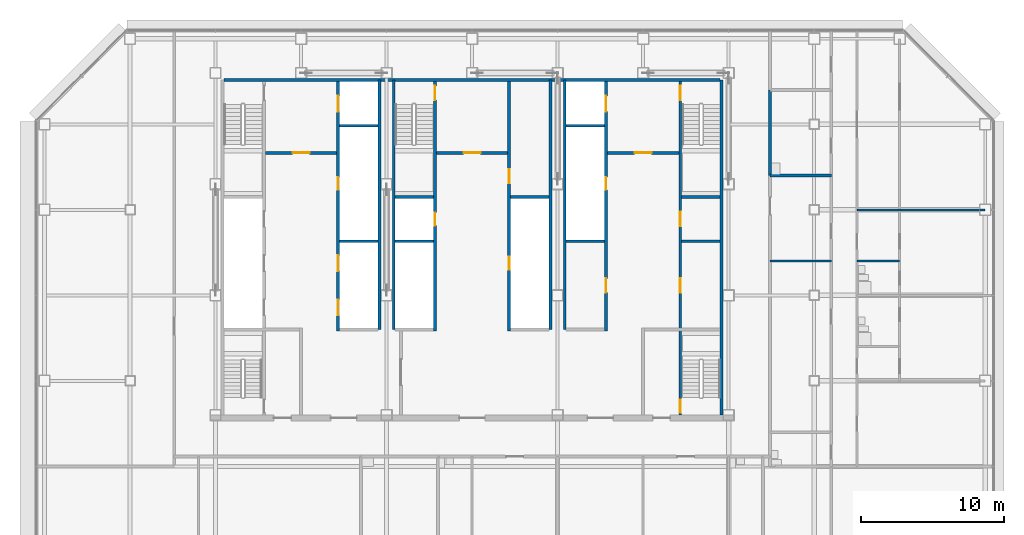
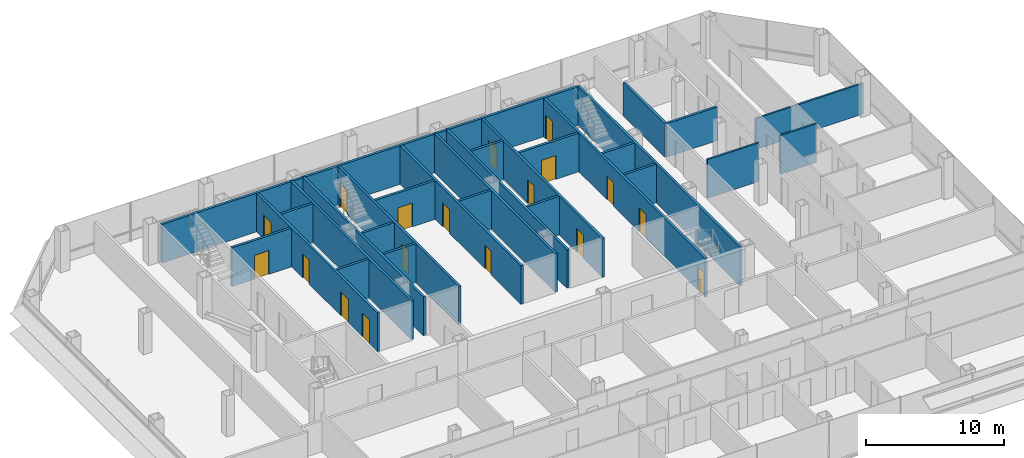
# One storey, part 22 of 25: 28 walls, 18 doors, 18 openings.
"""IFC4 building model written with IfcOpenShell, lengths in metres."""

from ifc_helpers import new_model, si_unit, direction, frame, frame_2d, origin, place, context, subcontext, project, spatial, rectangle, extrude, material, layer, layer_set, type_object, element, fill, save


model = new_model("IFC4")

# Units and contexts
model_context = context("Model", 3, precision=1e-05, world=origin(), true_north=direction((0.0, 1.0)))
body_context = subcontext(model_context, "Body", "Model", "MODEL_VIEW")
ifc_project = project(units=[si_unit("LENGTHUNIT", "METRE"), si_unit("AREAUNIT", "SQUARE_METRE"), si_unit("VOLUMEUNIT", "CUBIC_METRE"), si_unit("PLANEANGLEUNIT", "RADIAN"), si_unit("MASSUNIT", "GRAM", prefix="KILO")], contexts=[model_context])

# Site, building, storey
site_placement = place(None, origin())
site = spatial("IfcSite", under=ifc_project, at=site_placement, CompositionType="ELEMENT")
building_placement = place(site_placement, origin())
building = spatial("IfcBuilding", under=site, at=building_placement, Name="Sorahane Residences", CompositionType="ELEMENT")
storey_placement = place(building_placement, frame((0.0, 0.0, 107.0)))
storey = spatial("IfcBuildingStorey", under=building, at=storey_placement, Name="L23", CompositionType="ELEMENT", Elevation=107.0)

# Walls
ifc_material_1 = material(Name="Concrete C30", Category="concrete")
ifc_layer_1 = layer(ifc_material_1, 0.199951171875)
ifc_layer_set_1 = layer_set([ifc_layer_1], Name="Core face wall 200 EI 180")
wall_type_1 = type_object("IfcWallType", Name="Core face wall 200 EI 180", PredefinedType="SOLIDWALL", material=ifc_layer_set_1)
wall_1_placement = place(storey_placement, frame((41.5, 21.60009765625, 0.0), z_axis=(0.0, 0.0, 1.0), x_axis=(0.0, 1.0, 0.0)))
element("IfcWall", 1, at=wall_1_placement, inside=storey, type_object=wall_type_1, Name="L23 core face wall", PredefinedType="SOLIDWALL", context=body_context, shape_type="SweptSolid", body=[
    extrude(rectangle(XDim=23.5, YDim=0.199951171875, at=frame_2d((11.75, 0.0))), origin(), (0.0, 0.0, 1.0), 3.419921875),
])
wall_2_placement = place(storey_placement, frame((6.60009765625, 45.10009765625, 0.0), z_axis=(0.0, 0.0, 1.0), x_axis=(1.0, 0.0, 0.0)))
element("IfcWall", 2, at=wall_2_placement, inside=storey, type_object=wall_type_1, Name="L23 core face wall", PredefinedType="SOLIDWALL", context=body_context, shape_type="SweptSolid", body=[
    extrude(rectangle(XDim=34.7998046875, YDim=0.199951171875, at=frame_2d((17.39990234375, 0.0))), origin(), (0.0, 0.0, 1.0), 3.419921875),
])
for number, where, z_axis, x_axis, name in (
    (3, (17.5, 27.60009765625, 0.0), (0.0, 0.0, 1.0), (0.0, 1.0, 0.0), "L23 core face wall"),
    (4, (18.5, 27.60009765625, 0.0), (0.0, 0.0, 1.0), (0.0, 1.0, 0.0), "L23 core face wall"),
    (5, (29.5, 27.60009765625, 0.0), (0.0, 0.0, 1.0), (0.0, 1.0, 0.0), "L23 core face wall"),
    (6, (30.5, 27.60009765625, 0.0), (0.0, 0.0, 1.0), (0.0, 1.0, 0.0), "L23 core face wall"),
):
    element("IfcWall", number, at=place(storey_placement, frame(where, z_axis=z_axis, x_axis=x_axis)), inside=storey, type_object=wall_type_1, Name=name, PredefinedType="SOLIDWALL", context=body_context, shape_type="SweptSolid", body=[
        extrude(rectangle(XDim=17.5, YDim=0.199951171875, at=frame_2d((8.75, 0.0))), origin(), (0.0, 0.0, 1.0), 3.419921875),
    ])

# Wall, opening, door
ifc_material_2 = material(Name="Concrete C30", Category="concrete")
ifc_layer_2 = layer(ifc_material_2, 0.199951171875)
ifc_layer_set_2 = layer_set([ifc_layer_2], Name="Front room wall 200 EI 120")
wall_type_2 = type_object("IfcWallType", Name="Front room wall 200 EI 120", PredefinedType="PARTITIONING", material=ifc_layer_set_2)
wall_3_placement = place(storey_placement, frame((21.5, 40.0, 0.0), z_axis=(0.0, 0.0, 1.0), x_axis=(1.0, 0.0, 0.0)))
wall_3 = element("IfcWall", 7, at=wall_3_placement, inside=storey, type_object=wall_type_2, Name="L23 front room wall", PredefinedType="PARTITIONING", context=body_context, shape_type="SweptSolid", body=[
    extrude(rectangle(XDim=5.0, YDim=0.199951171875, at=frame_2d((2.5, 0.0))), origin(), (0.0, 0.0, 1.0), 3.419921875),
])
opening_1_placement = place(wall_3_placement, frame((1.89990234375, 0.0, 0.0)))
opening_1 = element("IfcOpeningElement", 8, at=opening_1_placement, cuts=wall_3, Name="Opening L23-C08", PredefinedType="OPENING", context=body_context, shape_type="SweptSolid", body=[
    extrude(rectangle(XDim=1.199951171875, YDim=2.10009765625, at=frame_2d((0.60009765625, 1.050048828125))), frame((0.0, 0.10986328125, 0.0), z_axis=(0.0, -1.0, 0.0), x_axis=(1.0, 0.0, 0.0)), (0.0, 0.0, 1.0), 0.219970703125),
])
ifc_material_3 = material(Name="Steel", Category="steel")
door_type_1 = type_object("IfcDoorType", Name="Front room door 1200x2100 FD120", OperationType="NOTDEFINED", PredefinedType="DOOR", material=ifc_material_3)
door_1_placement = place(opening_1_placement, frame((1.199951171875, 0.0, 0.0), z_axis=(0.0, 0.0, 1.0), x_axis=(-1.0, 0.0, 0.0)))
door_1 = element("IfcDoor", 9, at=door_1_placement, inside=storey, type_object=door_type_1, Name="Front room door Stair S3 vestibule L23", OperationType="DOUBLE_DOOR_SINGLE_SWING", OverallHeight=2.10009765625, OverallWidth=1.199951171875, PredefinedType="DOOR", context=body_context, shape_type="SweptSolid", body=[
    extrude(rectangle(XDim=1.199951171875, YDim=2.10009765625, at=frame_2d((0.60009765625, 1.050048828125))), frame((0.0, 0.02490234375, 0.0), z_axis=(0.0, -1.0, 0.0), x_axis=(1.0, 0.0, 0.0)), (0.0, 0.0, 1.0), 0.050048828125),
])
fill(opening_1, door_1)

wall_4_placement = place(storey_placement, frame((33.5, 40.0, 0.0), z_axis=(0.0, 0.0, 1.0), x_axis=(1.0, 0.0, 0.0)))
wall_4 = element("IfcWall", 10, at=wall_4_placement, inside=storey, type_object=wall_type_2, Name="L23 front room wall", PredefinedType="PARTITIONING", context=body_context, shape_type="SweptSolid", body=[
    extrude(rectangle(XDim=5.0, YDim=0.199951171875, at=frame_2d((2.5, 0.0))), origin(), (0.0, 0.0, 1.0), 3.419921875),
])
opening_2_placement = place(wall_4_placement, frame((1.89990234375, 0.0, 0.0)))
opening_2 = element("IfcOpeningElement", 11, at=opening_2_placement, cuts=wall_4, Name="Opening L23-C09", PredefinedType="OPENING", context=body_context, shape_type="SweptSolid", body=[
    extrude(rectangle(XDim=1.199951171875, YDim=2.10009765625, at=frame_2d((0.60009765625, 1.050048828125))), frame((0.0, 0.10986328125, 0.0), z_axis=(0.0, -1.0, 0.0), x_axis=(1.0, 0.0, 0.0)), (0.0, 0.0, 1.0), 0.219970703125),
])
door_2_placement = place(opening_2_placement, frame((1.199951171875, 0.0, 0.0), z_axis=(0.0, 0.0, 1.0), x_axis=(-1.0, 0.0, 0.0)))
door_2 = element("IfcDoor", 12, at=door_2_placement, inside=storey, type_object=door_type_1, Name="Front room door Firefighting lobby FF2 front room L23", OperationType="DOUBLE_DOOR_SINGLE_SWING", OverallHeight=2.10009765625, OverallWidth=1.199951171875, PredefinedType="DOOR", context=body_context, shape_type="SweptSolid", body=[
    extrude(rectangle(XDim=1.199951171875, YDim=2.10009765625, at=frame_2d((0.60009765625, 1.050048828125))), frame((0.0, 0.02490234375, 0.0), z_axis=(0.0, -1.0, 0.0), x_axis=(1.0, 0.0, 0.0)), (0.0, 0.0, 1.0), 0.050048828125),
])
fill(opening_2, door_2)

wall_5_placement = place(storey_placement, frame((9.5, 40.0, 0.0), z_axis=(0.0, 0.0, 1.0), x_axis=(1.0, 0.0, 0.0)))
wall_5 = element("IfcWall", 13, at=wall_5_placement, inside=storey, type_object=wall_type_2, Name="L23 front room wall", PredefinedType="PARTITIONING", context=body_context, shape_type="SweptSolid", body=[
    extrude(rectangle(XDim=5.0, YDim=0.199951171875, at=frame_2d((2.5, 0.0))), origin(), (0.0, 0.0, 1.0), 3.419921875),
])
opening_3_placement = place(wall_5_placement, frame((1.89990234375, 0.0, 0.0)))
opening_3 = element("IfcOpeningElement", 14, at=opening_3_placement, cuts=wall_5, Name="Opening L23-C07", PredefinedType="OPENING", context=body_context, shape_type="SweptSolid", body=[
    extrude(rectangle(XDim=1.199951171875, YDim=2.10009765625, at=frame_2d((0.60009765625, 1.050048828125))), frame((0.0, 0.10986328125, 0.0), z_axis=(0.0, -1.0, 0.0), x_axis=(1.0, 0.0, 0.0)), (0.0, 0.0, 1.0), 0.219970703125),
])
door_3_placement = place(opening_3_placement, frame((1.199951171875, 0.0, 0.0), z_axis=(0.0, 0.0, 1.0), x_axis=(-1.0, 0.0, 0.0)))
door_3 = element("IfcDoor", 15, at=door_3_placement, inside=storey, type_object=door_type_1, Name="Front room door Firefighting lobby FF1 front room L23", OperationType="DOUBLE_DOOR_SINGLE_SWING", OverallHeight=2.10009765625, OverallWidth=1.199951171875, PredefinedType="DOOR", context=body_context, shape_type="SweptSolid", body=[
    extrude(rectangle(XDim=1.199951171875, YDim=2.10009765625, at=frame_2d((0.60009765625, 1.050048828125))), frame((0.0, 0.02490234375, 0.0), z_axis=(0.0, -1.0, 0.0), x_axis=(1.0, 0.0, 0.0)), (0.0, 0.0, 1.0), 0.050048828125),
])
fill(opening_3, door_3)

# Walls
ifc_material_4 = material(Name="Concrete blockwork C20 wall", Category="masonry")
ifc_layer_3 = layer(ifc_material_4, 0.199951171875)
ifc_layer_set_3 = layer_set([ifc_layer_3], Name="Kitchen wall 200 EI 180")
wall_type_3 = type_object("IfcWallType", Name="Kitchen wall 200 EI 180", PredefinedType="SOLIDWALL", material=ifc_layer_set_3)
wall_6_placement = place(storey_placement, frame((44.89990234375, 38.39990234375, 0.0), z_axis=(0.0, 0.0, 1.0), x_axis=(0.0, 1.0, 0.0)))
element("IfcWall", 16, at=wall_6_placement, inside=storey, type_object=wall_type_3, Name="L23 kitchen wall", PredefinedType="SOLIDWALL", context=body_context, shape_type="SweptSolid", body=[
    extrude(rectangle(XDim=6.0, YDim=0.199951171875, at=frame_2d((3.0, 0.0))), origin(), (0.0, 0.0, 1.0), 2.969970703125),
])
wall_7_placement = place(storey_placement, frame((44.89990234375, 38.39990234375, 0.0), z_axis=(0.0, 0.0, 1.0), x_axis=(1.0, 0.0, 0.0)))
element("IfcWall", 17, at=wall_7_placement, inside=storey, type_object=wall_type_3, Name="L23 kitchen wall", PredefinedType="SOLIDWALL", context=body_context, shape_type="SweptSolid", body=[
    extrude(rectangle(XDim=4.300048828125, YDim=0.199951171875, at=frame_2d((2.14990234375, 0.0))), origin(), (0.0, 0.0, 1.0), 2.969970703125),
])

# Wall, openings, doors
ifc_material_5 = material(Name="Concrete C30", Category="concrete")
ifc_layer_4 = layer(ifc_material_5, 0.199951171875)
ifc_layer_set_4 = layer_set([ifc_layer_4], Name="Lift shaft wall 200 EI 120")
wall_type_4 = type_object("IfcWallType", Name="Lift shaft wall 200 EI 120", PredefinedType="SOLIDWALL", material=ifc_layer_set_4)
wall_8_placement = place(storey_placement, frame((14.60009765625, 27.5, 0.0), z_axis=(0.0, 0.0, 1.0), x_axis=(0.0, 1.0, 0.0)))
wall_8 = element("IfcWall", 18, at=wall_8_placement, inside=storey, type_object=wall_type_4, Name="L23 lift shaft wall", PredefinedType="SOLIDWALL", context=body_context, shape_type="SweptSolid", body=[
    extrude(rectangle(XDim=17.5, YDim=0.199951171875, at=frame_2d((8.75, 0.0))), origin(), (0.0, 0.0, 1.0), 3.419921875),
])
opening_4_placement = place(wall_8_placement, frame((1.10009765625, 0.0, 0.0)))
opening_4 = element("IfcOpeningElement", 19, at=opening_4_placement, cuts=wall_8, Name="Opening L23-C11", PredefinedType="OPENING", context=body_context, shape_type="SweptSolid", body=[
    extrude(rectangle(XDim=1.10009765625, YDim=2.10009765625, at=frame_2d((0.550048828125, 1.050048828125))), frame((0.0, 0.10986328125, 0.0), z_axis=(0.0, -1.0, 0.0), x_axis=(1.0, 0.0, 0.0)), (0.0, 0.0, 1.0), 0.219970703125),
])
opening_5_placement = place(wall_8_placement, frame((4.199951171875, 0.0, 0.0)))
opening_5 = element("IfcOpeningElement", 20, at=opening_5_placement, cuts=wall_8, Name="Opening L23-C12", PredefinedType="OPENING", context=body_context, shape_type="SweptSolid", body=[
    extrude(rectangle(XDim=1.10009765625, YDim=2.10009765625, at=frame_2d((0.550048828125, 1.050048828125))), frame((0.0, 0.10986328125, 0.0), z_axis=(0.0, -1.0, 0.0), x_axis=(1.0, 0.0, 0.0)), (0.0, 0.0, 1.0), 0.219970703125),
])
opening_6_placement = place(wall_8_placement, frame((15.39990234375, 0.0, 0.0)))
opening_6 = element("IfcOpeningElement", 21, at=opening_6_placement, cuts=wall_8, Name="Opening L23-C13", PredefinedType="OPENING", context=body_context, shape_type="SweptSolid", body=[
    extrude(rectangle(XDim=1.10009765625, YDim=2.10009765625, at=frame_2d((0.550048828125, 1.050048828125))), frame((0.0, 0.10986328125, 0.0), z_axis=(0.0, -1.0, 0.0), x_axis=(1.0, 0.0, 0.0)), (0.0, 0.0, 1.0), 0.219970703125),
])
opening_7_placement = place(wall_8_placement, frame((9.89990234375, 0.0, 0.0)))
opening_7 = element("IfcOpeningElement", 22, at=opening_7_placement, cuts=wall_8, Name="Opening L23-C25", PredefinedType="OPENING", context=body_context, shape_type="SweptSolid", body=[
    extrude(rectangle(XDim=0.89990234375, YDim=2.10009765625, at=frame_2d((0.449951171875, 1.050048828125))), frame((0.0, 0.10986328125, 0.0), z_axis=(0.0, -1.0, 0.0), x_axis=(1.0, 0.0, 0.0)), (0.0, 0.0, 1.0), 0.219970703125),
])
ifc_material_6 = material(Name="Aluminium and stainless steel", Category="steel")
door_type_2 = type_object("IfcDoorType", Name="Lift landing door 1100x2100 E 60", OperationType="NOTDEFINED", PredefinedType="DOOR", material=ifc_material_6)
door_4_placement = place(opening_4_placement, origin())
door_4 = element("IfcDoor", 23, at=door_4_placement, inside=storey, type_object=door_type_2, Name="Lift landing door LR4 L23", OperationType="DOUBLE_DOOR_SLIDING", OverallHeight=2.10009765625, OverallWidth=1.10009765625, PredefinedType="DOOR", context=body_context, shape_type="SweptSolid", body=[
    extrude(rectangle(XDim=1.10009765625, YDim=2.10009765625, at=frame_2d((0.550048828125, 1.050048828125))), frame((0.0, 0.02490234375, 0.0), z_axis=(0.0, -1.0, 0.0), x_axis=(1.0, 0.0, 0.0)), (0.0, 0.0, 1.0), 0.050048828125),
])
fill(opening_4, door_4)
door_5_placement = place(opening_5_placement, origin())
door_5 = element("IfcDoor", 24, at=door_5_placement, inside=storey, type_object=door_type_2, Name="Lift landing door LR5 L23", OperationType="DOUBLE_DOOR_SLIDING", OverallHeight=2.10009765625, OverallWidth=1.10009765625, PredefinedType="DOOR", context=body_context, shape_type="SweptSolid", body=[
    extrude(rectangle(XDim=1.10009765625, YDim=2.10009765625, at=frame_2d((0.550048828125, 1.050048828125))), frame((0.0, 0.02490234375, 0.0), z_axis=(0.0, -1.0, 0.0), x_axis=(1.0, 0.0, 0.0)), (0.0, 0.0, 1.0), 0.050048828125),
])
fill(opening_5, door_5)
door_6_placement = place(opening_6_placement, origin())
door_6 = element("IfcDoor", 25, at=door_6_placement, inside=storey, type_object=door_type_2, Name="Lift landing door FF1 L23", OperationType="DOUBLE_DOOR_SLIDING", OverallHeight=2.10009765625, OverallWidth=1.10009765625, PredefinedType="DOOR", context=body_context, shape_type="SweptSolid", body=[
    extrude(rectangle(XDim=1.10009765625, YDim=2.10009765625, at=frame_2d((0.550048828125, 1.050048828125))), frame((0.0, 0.02490234375, 0.0), z_axis=(0.0, -1.0, 0.0), x_axis=(1.0, 0.0, 0.0)), (0.0, 0.0, 1.0), 0.050048828125),
])
fill(opening_6, door_6)
ifc_material_7 = material(Name="Steel", Category="steel")
door_type_3 = type_object("IfcDoorType", Name="Riser door 900x2100 FD120", OperationType="NOTDEFINED", PredefinedType="DOOR", material=ifc_material_7)
door_7_placement = place(opening_7_placement, origin())
door_7 = element("IfcDoor", 26, at=door_7_placement, inside=storey, type_object=door_type_3, Name="Riser door R1 L23", OperationType="SINGLE_SWING_LEFT", OverallHeight=2.10009765625, OverallWidth=0.89990234375, PredefinedType="DOOR", context=body_context, shape_type="SweptSolid", body=[
    extrude(rectangle(XDim=0.89990234375, YDim=2.10009765625, at=frame_2d((0.449951171875, 1.050048828125))), frame((0.0, 0.02490234375, 0.0), z_axis=(0.0, -1.0, 0.0), x_axis=(1.0, 0.0, 0.0)), (0.0, 0.0, 1.0), 0.050048828125),
])
fill(opening_7, door_7)

wall_9_placement = place(storey_placement, frame((33.39990234375, 27.5, 0.0), z_axis=(0.0, 0.0, 1.0), x_axis=(0.0, 1.0, 0.0)))
wall_9 = element("IfcWall", 27, at=wall_9_placement, inside=storey, type_object=wall_type_4, Name="L23 lift shaft wall", PredefinedType="SOLIDWALL", context=body_context, shape_type="SweptSolid", body=[
    extrude(rectangle(XDim=17.5, YDim=0.199951171875, at=frame_2d((8.75, 0.0))), origin(), (0.0, 0.0, 1.0), 3.419921875),
])
opening_8_placement = place(wall_9_placement, frame((15.39990234375, 0.0, 0.0)))
opening_8 = element("IfcOpeningElement", 28, at=opening_8_placement, cuts=wall_9, Name="Opening L23-C10", PredefinedType="OPENING", context=body_context, shape_type="SweptSolid", body=[
    extrude(rectangle(XDim=1.10009765625, YDim=2.10009765625, at=frame_2d((0.550048828125, 1.050048828125))), frame((0.0, 0.10986328125, 0.0), z_axis=(0.0, -1.0, 0.0), x_axis=(1.0, 0.0, 0.0)), (0.0, 0.0, 1.0), 0.219970703125),
])
opening_9_placement = place(wall_9_placement, frame((2.699951171875, 0.0, 0.0)))
opening_9 = element("IfcOpeningElement", 29, at=opening_9_placement, cuts=wall_9, Name="Opening L23-C19", PredefinedType="OPENING", context=body_context, shape_type="SweptSolid", body=[
    extrude(rectangle(XDim=1.0, YDim=2.10009765625, at=frame_2d((0.5, 1.050048828125))), frame((0.0, 0.10986328125, 0.0), z_axis=(0.0, -1.0, 0.0), x_axis=(1.0, 0.0, 0.0)), (0.0, 0.0, 1.0), 0.219970703125),
])
opening_10_placement = place(wall_9_placement, frame((9.89990234375, 0.0, 0.0)))
opening_10 = element("IfcOpeningElement", 30, at=opening_10_placement, cuts=wall_9, Name="Opening L23-C26", PredefinedType="OPENING", context=body_context, shape_type="SweptSolid", body=[
    extrude(rectangle(XDim=0.89990234375, YDim=2.10009765625, at=frame_2d((0.449951171875, 1.050048828125))), frame((0.0, 0.10986328125, 0.0), z_axis=(0.0, -1.0, 0.0), x_axis=(1.0, 0.0, 0.0)), (0.0, 0.0, 1.0), 0.219970703125),
])
door_8_placement = place(opening_8_placement, origin())
door_8 = element("IfcDoor", 31, at=door_8_placement, inside=storey, type_object=door_type_2, Name="Lift landing door FF2 L23", OperationType="DOUBLE_DOOR_SLIDING", OverallHeight=2.10009765625, OverallWidth=1.10009765625, PredefinedType="DOOR", context=body_context, shape_type="SweptSolid", body=[
    extrude(rectangle(XDim=1.10009765625, YDim=2.10009765625, at=frame_2d((0.550048828125, 1.050048828125))), frame((0.0, 0.02490234375, 0.0), z_axis=(0.0, -1.0, 0.0), x_axis=(1.0, 0.0, 0.0)), (0.0, 0.0, 1.0), 0.050048828125),
])
fill(opening_8, door_8)
door_9_placement = place(opening_10_placement, frame((0.89990234375, 0.0, 0.0), z_axis=(0.0, 0.0, 1.0), x_axis=(-1.0, 0.0, 0.0)))
door_9 = element("IfcDoor", 32, at=door_9_placement, inside=storey, type_object=door_type_3, Name="Riser door R2 L23", OperationType="SINGLE_SWING_LEFT", OverallHeight=2.10009765625, OverallWidth=0.89990234375, PredefinedType="DOOR", context=body_context, shape_type="SweptSolid", body=[
    extrude(rectangle(XDim=0.89990234375, YDim=2.10009765625, at=frame_2d((0.449951171875, 1.050048828125))), frame((0.0, 0.02490234375, 0.0), z_axis=(0.0, -1.0, 0.0), x_axis=(1.0, 0.0, 0.0)), (0.0, 0.0, 1.0), 0.050048828125),
])
fill(opening_10, door_9)
ifc_material_8 = material(Name="Steel", Category="steel")
door_type_4 = type_object("IfcDoorType", Name="Service room door 1000x2100 FD60", OperationType="NOTDEFINED", PredefinedType="DOOR", material=ifc_material_8)
door_10_placement = place(opening_9_placement, origin())
door_10 = element("IfcDoor", 33, at=door_10_placement, inside=storey, type_object=door_type_4, Name="Service room door Study L23", OperationType="SINGLE_SWING_RIGHT", OverallHeight=2.10009765625, OverallWidth=1.0, PredefinedType="DOOR", context=body_context, shape_type="SweptSolid", body=[
    extrude(rectangle(XDim=1.0, YDim=2.10009765625, at=frame_2d((0.5, 1.050048828125))), frame((0.0, 0.02490234375, 0.0), z_axis=(0.0, -1.0, 0.0), x_axis=(1.0, 0.0, 0.0)), (0.0, 0.0, 1.0), 0.050048828125),
])
fill(opening_9, door_10)

# Walls
for number, where, z_axis, x_axis, name in (
    (34, (14.699951171875, 33.800048828125, 0.0), (0.0, 0.0, 1.0), (1.0, 0.0, 0.0), "L23 lift shaft wall"),
    (35, (18.60009765625, 33.800048828125, 0.0), (0.0, 0.0, 1.0), (1.0, 0.0, 0.0), "L23 lift shaft wall"),
    (36, (14.699951171875, 41.89990234375, 0.0), (0.0, 0.0, 1.0), (1.0, 0.0, 0.0), "L23 lift shaft wall"),
    (37, (30.60009765625, 41.89990234375, 0.0), (0.0, 0.0, 1.0), (1.0, 0.0, 0.0), "L23 lift shaft wall"),
):
    element("IfcWall", number, at=place(storey_placement, frame(where, z_axis=z_axis, x_axis=x_axis)), inside=storey, type_object=wall_type_4, Name=name, PredefinedType="SOLIDWALL", context=body_context, shape_type="SweptSolid", body=[
        extrude(rectangle(XDim=2.699951171875, YDim=0.199951171875, at=frame_2d((1.35009765625, 0.0))), origin(), (0.0, 0.0, 1.0), 3.419921875),
    ])
ifc_material_9 = material(Name="Gypsum board partition on steel studs", Category="steel")
ifc_layer_5 = layer(ifc_material_9, 0.14990234375)
ifc_layer_set_5 = layer_set([ifc_layer_5], Name="Partition 150 EI 90")
wall_type_5 = type_object("IfcWallType", Name="Partition 150 EI 90", PredefinedType="PARTITIONING", material=ifc_layer_set_5)
wall_10_placement = place(storey_placement, frame((44.89990234375, 32.39990234375, 0.0), z_axis=(0.0, 0.0, 1.0), x_axis=(1.0, 0.0, 0.0)))
element("IfcWall", 38, at=wall_10_placement, inside=storey, type_object=wall_type_5, Name="L23 partition", PredefinedType="PARTITIONING", context=body_context, shape_type="SweptSolid", body=[
    extrude(rectangle(XDim=4.300048828125, YDim=0.14990234375, at=frame_2d((2.14990234375, 0.0))), origin(), (0.0, 0.0, 1.0), 3.419921875),
])
wall_11_placement = place(storey_placement, frame((51.0, 36.0, 0.0), z_axis=(0.0, 0.0, 1.0), x_axis=(1.0, 0.0, 0.0)))
element("IfcWall", 39, at=wall_11_placement, inside=storey, type_object=wall_type_5, Name="L23 partition", PredefinedType="PARTITIONING", context=body_context, shape_type="SweptSolid", body=[
    extrude(rectangle(XDim=9.0, YDim=0.14990234375, at=frame_2d((4.5, 0.0))), origin(), (0.0, 0.0, 1.0), 2.719970703125),
])

# Wall, openings, doors
ifc_material_10 = material(Name="Concrete C30", Category="concrete")
ifc_layer_6 = layer(ifc_material_10, 0.199951171875)
ifc_layer_set_6 = layer_set([ifc_layer_6], Name="Riser shaft wall 200 EI 120")
wall_type_6 = type_object("IfcWallType", Name="Riser shaft wall 200 EI 120", PredefinedType="SOLIDWALL", material=ifc_layer_set_6)
wall_12_placement = place(storey_placement, frame((26.60009765625, 27.5, 0.0), z_axis=(0.0, 0.0, 1.0), x_axis=(0.0, 1.0, 0.0)))
wall_12 = element("IfcWall", 40, at=wall_12_placement, inside=storey, type_object=wall_type_6, Name="L23 riser wall", PredefinedType="SOLIDWALL", context=body_context, shape_type="SweptSolid", body=[
    extrude(rectangle(XDim=17.5, YDim=0.199951171875, at=frame_2d((8.75, 0.0))), origin(), (0.0, 0.0, 1.0), 3.419921875),
])
opening_11_placement = place(wall_12_placement, frame((4.300048828125, 0.0, 0.0)))
opening_11 = element("IfcOpeningElement", 41, at=opening_11_placement, cuts=wall_12, Name="Opening L23-C28", PredefinedType="OPENING", context=body_context, shape_type="SweptSolid", body=[
    extrude(rectangle(XDim=0.89990234375, YDim=2.10009765625, at=frame_2d((0.449951171875, 1.050048828125))), frame((0.0, 0.10986328125, 0.0), z_axis=(0.0, -1.0, 0.0), x_axis=(1.0, 0.0, 0.0)), (0.0, 0.0, 1.0), 0.219970703125),
])
opening_12_placement = place(wall_12_placement, frame((10.35009765625, 0.0, 0.0)))
opening_12 = element("IfcOpeningElement", 42, at=opening_12_placement, cuts=wall_12, Name="Opening L23-C29", PredefinedType="OPENING", context=body_context, shape_type="SweptSolid", body=[
    extrude(rectangle(XDim=1.0, YDim=2.10009765625, at=frame_2d((0.5, 1.050048828125))), frame((0.0, 0.10986328125, 0.0), z_axis=(0.0, -1.0, 0.0), x_axis=(1.0, 0.0, 0.0)), (0.0, 0.0, 1.0), 0.219970703125),
])
door_11_placement = place(opening_11_placement, origin())
door_11 = element("IfcDoor", 43, at=door_11_placement, inside=storey, type_object=door_type_3, Name="Riser door R4 L23", OperationType="SINGLE_SWING_LEFT", OverallHeight=2.10009765625, OverallWidth=0.89990234375, PredefinedType="DOOR", context=body_context, shape_type="SweptSolid", body=[
    extrude(rectangle(XDim=0.89990234375, YDim=2.10009765625, at=frame_2d((0.449951171875, 1.050048828125))), frame((0.0, 0.02490234375, 0.0), z_axis=(0.0, -1.0, 0.0), x_axis=(1.0, 0.0, 0.0)), (0.0, 0.0, 1.0), 0.050048828125),
])
fill(opening_11, door_11)
door_12_placement = place(opening_12_placement, frame((1.0, 0.0, 0.0), z_axis=(0.0, 0.0, 1.0), x_axis=(-1.0, 0.0, 0.0)))
door_12 = element("IfcDoor", 44, at=door_12_placement, inside=storey, type_object=door_type_4, Name="Service room door Housekeeping store L23", OperationType="SINGLE_SWING_LEFT", OverallHeight=2.10009765625, OverallWidth=1.0, PredefinedType="DOOR", context=body_context, shape_type="SweptSolid", body=[
    extrude(rectangle(XDim=1.0, YDim=2.10009765625, at=frame_2d((0.5, 1.050048828125))), frame((0.0, 0.02490234375, 0.0), z_axis=(0.0, -1.0, 0.0), x_axis=(1.0, 0.0, 0.0)), (0.0, 0.0, 1.0), 0.050048828125),
])
fill(opening_12, door_12)

# Walls
for number, where, z_axis, x_axis, name in (
    (45, (30.60009765625, 33.800048828125, 0.0), (0.0, 0.0, 1.0), (1.0, 0.0, 0.0), "L23 riser wall"),
    (46, (26.699951171875, 36.89990234375, 0.0), (0.0, 0.0, 1.0), (1.0, 0.0, 0.0), "L23 riser wall"),
):
    element("IfcWall", number, at=place(storey_placement, frame(where, z_axis=z_axis, x_axis=x_axis)), inside=storey, type_object=wall_type_6, Name=name, PredefinedType="SOLIDWALL", context=body_context, shape_type="SweptSolid", body=[
        extrude(rectangle(XDim=2.699951171875, YDim=0.199951171875, at=frame_2d((1.35009765625, 0.0))), origin(), (0.0, 0.0, 1.0), 3.419921875),
    ])
ifc_material_11 = material(Name="Concrete C30", Category="concrete")
ifc_layer_7 = layer(ifc_material_11, 0.199951171875)
ifc_layer_set_7 = layer_set([ifc_layer_7], Name="Service room partition 200 EI 60")
wall_type_7 = type_object("IfcWallType", Name="Service room partition 200 EI 60", PredefinedType="PARTITIONING", material=ifc_layer_set_7)
wall_13_placement = place(storey_placement, frame((38.699951171875, 33.800048828125, 0.0), z_axis=(0.0, 0.0, 1.0), x_axis=(1.0, 0.0, 0.0)))
element("IfcWall", 47, at=wall_13_placement, inside=storey, type_object=wall_type_7, Name="L23 service room wall", PredefinedType="PARTITIONING", context=body_context, shape_type="SweptSolid", body=[
    extrude(rectangle(XDim=2.699951171875, YDim=0.199951171875, at=frame_2d((1.35009765625, 0.0))), origin(), (0.0, 0.0, 1.0), 3.419921875),
])

# Wall, openings, doors
ifc_material_12 = material(Name="Concrete C30", Category="concrete")
ifc_layer_8 = layer(ifc_material_12, 0.199951171875)
ifc_layer_set_8 = layer_set([ifc_layer_8], Name="Stair enclosure wall 200 EI 120")
wall_type_8 = type_object("IfcWallType", Name="Stair enclosure wall 200 EI 120", PredefinedType="SOLIDWALL", material=ifc_layer_set_8)
wall_14_placement = place(storey_placement, frame((21.39990234375, 27.5, 0.0), z_axis=(0.0, 0.0, 1.0), x_axis=(0.0, 1.0, 0.0)))
wall_14 = element("IfcWall", 48, at=wall_14_placement, inside=storey, type_object=wall_type_8, Name="L23 stair enclosure wall", PredefinedType="SOLIDWALL", context=body_context, shape_type="SweptSolid", body=[
    extrude(rectangle(XDim=17.5, YDim=0.199951171875, at=frame_2d((8.75, 0.0))), origin(), (0.0, 0.0, 1.0), 3.419921875),
])
opening_13_placement = place(wall_14_placement, frame((16.199951171875, 0.0, 0.0)))
opening_13 = element("IfcOpeningElement", 49, at=opening_13_placement, cuts=wall_14, Name="Opening L23-C22", PredefinedType="OPENING", context=body_context, shape_type="SweptSolid", body=[
    extrude(rectangle(XDim=1.0, YDim=2.10009765625, at=frame_2d((0.5, 1.050048828125))), frame((0.0, 0.10986328125, 0.0), z_axis=(0.0, -1.0, 0.0), x_axis=(1.0, 0.0, 0.0)), (0.0, 0.0, 1.0), 0.219970703125),
])
opening_14_placement = place(wall_14_placement, frame((7.39990234375, 0.0, 0.0)))
opening_14 = element("IfcOpeningElement", 50, at=opening_14_placement, cuts=wall_14, Name="Opening L23-C27", PredefinedType="OPENING", context=body_context, shape_type="SweptSolid", body=[
    extrude(rectangle(XDim=0.89990234375, YDim=2.10009765625, at=frame_2d((0.449951171875, 1.050048828125))), frame((0.0, 0.10986328125, 0.0), z_axis=(0.0, -1.0, 0.0), x_axis=(1.0, 0.0, 0.0)), (0.0, 0.0, 1.0), 0.219970703125),
])
door_13_placement = place(opening_14_placement, frame((0.89990234375, 0.0, 0.0), z_axis=(0.0, 0.0, 1.0), x_axis=(-1.0, 0.0, 0.0)))
door_13 = element("IfcDoor", 51, at=door_13_placement, inside=storey, type_object=door_type_3, Name="Riser door R3 L23", OperationType="SINGLE_SWING_LEFT", OverallHeight=2.10009765625, OverallWidth=0.89990234375, PredefinedType="DOOR", context=body_context, shape_type="SweptSolid", body=[
    extrude(rectangle(XDim=0.89990234375, YDim=2.10009765625, at=frame_2d((0.449951171875, 1.050048828125))), frame((0.0, 0.02490234375, 0.0), z_axis=(0.0, -1.0, 0.0), x_axis=(1.0, 0.0, 0.0)), (0.0, 0.0, 1.0), 0.050048828125),
])
fill(opening_14, door_13)
ifc_material_13 = material(Name="Steel", Category="steel")
door_type_5 = type_object("IfcDoorType", Name="Stair door 1000x2100 FD120", OperationType="NOTDEFINED", PredefinedType="DOOR", material=ifc_material_13)
door_14_placement = place(opening_13_placement, origin())
door_14 = element("IfcDoor", 52, at=door_14_placement, inside=storey, type_object=door_type_5, Name="Stair door S3 L23", OperationType="SINGLE_SWING_LEFT", OverallHeight=2.10009765625, OverallWidth=1.0, PredefinedType="DOOR", context=body_context, shape_type="SweptSolid", body=[
    extrude(rectangle(XDim=1.0, YDim=2.10009765625, at=frame_2d((0.5, 1.050048828125))), frame((0.0, 0.02490234375, 0.0), z_axis=(0.0, -1.0, 0.0), x_axis=(1.0, 0.0, 0.0)), (0.0, 0.0, 1.0), 0.050048828125),
])
fill(opening_13, door_14)

wall_15_placement = place(storey_placement, frame((38.60009765625, 21.60009765625, 0.0), z_axis=(0.0, 0.0, 1.0), x_axis=(0.0, 1.0, 0.0)))
wall_15 = element("IfcWall", 53, at=wall_15_placement, inside=storey, type_object=wall_type_8, Name="L23 stair enclosure wall", PredefinedType="SOLIDWALL", context=body_context, shape_type="SweptSolid", body=[
    extrude(rectangle(XDim=23.39990234375, YDim=0.199951171875, at=frame_2d((11.699951171875, 0.0))), origin(), (0.0, 0.0, 1.0), 3.419921875),
])
opening_15_placement = place(wall_15_placement, frame((8.60009765625, 0.0, 0.0)))
opening_15 = element("IfcOpeningElement", 54, at=opening_15_placement, cuts=wall_15, Name="Opening L23-C17", PredefinedType="OPENING", context=body_context, shape_type="SweptSolid", body=[
    extrude(rectangle(XDim=1.0, YDim=2.10009765625, at=frame_2d((0.5, 1.050048828125))), frame((0.0, 0.10986328125, 0.0), z_axis=(0.0, -1.0, 0.0), x_axis=(1.0, 0.0, 0.0)), (0.0, 0.0, 1.0), 0.219970703125),
])
opening_16_placement = place(wall_15_placement, frame((13.25, 0.0, 0.0)))
opening_16 = element("IfcOpeningElement", 55, at=opening_16_placement, cuts=wall_15, Name="Opening L23-C18", PredefinedType="OPENING", context=body_context, shape_type="SweptSolid", body=[
    extrude(rectangle(XDim=1.0, YDim=2.10009765625, at=frame_2d((0.5, 1.050048828125))), frame((0.0, 0.10986328125, 0.0), z_axis=(0.0, -1.0, 0.0), x_axis=(1.0, 0.0, 0.0)), (0.0, 0.0, 1.0), 0.219970703125),
])
opening_17_placement = place(wall_15_placement, frame((22.10009765625, 0.0, 0.0)))
opening_17 = element("IfcOpeningElement", 56, at=opening_17_placement, cuts=wall_15, Name="Opening L23-C21", PredefinedType="OPENING", context=body_context, shape_type="SweptSolid", body=[
    extrude(rectangle(XDim=1.0, YDim=2.10009765625, at=frame_2d((0.5, 1.050048828125))), frame((0.0, 0.10986328125, 0.0), z_axis=(0.0, -1.0, 0.0), x_axis=(1.0, 0.0, 0.0)), (0.0, 0.0, 1.0), 0.219970703125),
])
opening_18_placement = place(wall_15_placement, frame((0.175048828125, 0.0, 0.0)))
opening_18 = element("IfcOpeningElement", 57, at=opening_18_placement, cuts=wall_15, Name="Opening L23-C24", PredefinedType="OPENING", context=body_context, shape_type="SweptSolid", body=[
    extrude(rectangle(XDim=0.89990234375, YDim=2.10009765625, at=frame_2d((0.449951171875, 1.050048828125))), frame((0.0, 0.10986328125, 0.0), z_axis=(0.0, -1.0, 0.0), x_axis=(1.0, 0.0, 0.0)), (0.0, 0.0, 1.0), 0.219970703125),
])
door_15_placement = place(opening_15_placement, frame((1.0, 0.0, 0.0), z_axis=(0.0, 0.0, 1.0), x_axis=(-1.0, 0.0, 0.0)))
door_15 = element("IfcDoor", 58, at=door_15_placement, inside=storey, type_object=door_type_4, Name="Service room door Study L23", OperationType="SINGLE_SWING_RIGHT", OverallHeight=2.10009765625, OverallWidth=1.0, PredefinedType="DOOR", context=body_context, shape_type="SweptSolid", body=[
    extrude(rectangle(XDim=1.0, YDim=2.10009765625, at=frame_2d((0.5, 1.050048828125))), frame((0.0, 0.02490234375, 0.0), z_axis=(0.0, -1.0, 0.0), x_axis=(1.0, 0.0, 0.0)), (0.0, 0.0, 1.0), 0.050048828125),
])
fill(opening_15, door_15)
door_16_placement = place(opening_16_placement, frame((1.0, 0.0, 0.0), z_axis=(0.0, 0.0, 1.0), x_axis=(-1.0, 0.0, 0.0)))
door_16 = element("IfcDoor", 59, at=door_16_placement, inside=storey, type_object=door_type_4, Name="Service room door Study L23", OperationType="SINGLE_SWING_LEFT", OverallHeight=2.10009765625, OverallWidth=1.0, PredefinedType="DOOR", context=body_context, shape_type="SweptSolid", body=[
    extrude(rectangle(XDim=1.0, YDim=2.10009765625, at=frame_2d((0.5, 1.050048828125))), frame((0.0, 0.02490234375, 0.0), z_axis=(0.0, -1.0, 0.0), x_axis=(1.0, 0.0, 0.0)), (0.0, 0.0, 1.0), 0.050048828125),
])
fill(opening_16, door_16)
door_17_placement = place(opening_17_placement, frame((1.0, 0.0, 0.0), z_axis=(0.0, 0.0, 1.0), x_axis=(-1.0, 0.0, 0.0)))
door_17 = element("IfcDoor", 60, at=door_17_placement, inside=storey, type_object=door_type_5, Name="Stair door S2 L23", OperationType="SINGLE_SWING_LEFT", OverallHeight=2.10009765625, OverallWidth=1.0, PredefinedType="DOOR", context=body_context, shape_type="SweptSolid", body=[
    extrude(rectangle(XDim=1.0, YDim=2.10009765625, at=frame_2d((0.5, 1.050048828125))), frame((0.0, 0.02490234375, 0.0), z_axis=(0.0, -1.0, 0.0), x_axis=(1.0, 0.0, 0.0)), (0.0, 0.0, 1.0), 0.050048828125),
])
fill(opening_17, door_17)
ifc_material_14 = material(Name="Steel", Category="steel")
door_type_6 = type_object("IfcDoorType", Name="Stair door 900x2100 FD120", OperationType="NOTDEFINED", PredefinedType="DOOR", material=ifc_material_14)
door_18_placement = place(opening_18_placement, frame((0.89990234375, 0.0, 0.0), z_axis=(0.0, 0.0, 1.0), x_axis=(-1.0, 0.0, 0.0)))
door_18 = element("IfcDoor", 61, at=door_18_placement, inside=storey, type_object=door_type_6, Name="Stair door S5 L23", OperationType="SINGLE_SWING_LEFT", OverallHeight=2.10009765625, OverallWidth=0.89990234375, PredefinedType="DOOR", context=body_context, shape_type="SweptSolid", body=[
    extrude(rectangle(XDim=0.89990234375, YDim=2.10009765625, at=frame_2d((0.449951171875, 1.050048828125))), frame((0.0, 0.02490234375, 0.0), z_axis=(0.0, -1.0, 0.0), x_axis=(1.0, 0.0, 0.0)), (0.0, 0.0, 1.0), 0.050048828125),
])
fill(opening_18, door_18)

# Walls
for number, where, z_axis, x_axis, name in (
    (62, (18.60009765625, 36.89990234375, 0.0), (0.0, 0.0, 1.0), (1.0, 0.0, 0.0), "L23 stair enclosure wall"),
    (63, (38.699951171875, 36.89990234375, 0.0), (0.0, 0.0, 1.0), (1.0, 0.0, 0.0), "L23 stair enclosure wall"),
):
    element("IfcWall", number, at=place(storey_placement, frame(where, z_axis=z_axis, x_axis=x_axis)), inside=storey, type_object=wall_type_8, Name=name, PredefinedType="SOLIDWALL", context=body_context, shape_type="SweptSolid", body=[
        extrude(rectangle(XDim=2.699951171875, YDim=0.199951171875, at=frame_2d((1.35009765625, 0.0))), origin(), (0.0, 0.0, 1.0), 3.419921875),
    ])
ifc_material_15 = material(Name="Gypsum board partition on steel studs", Category="steel")
ifc_layer_9 = layer(ifc_material_15, 0.14990234375)
ifc_layer_set_9 = layer_set([ifc_layer_9], Name="Wet wall 150 EI 90")
wall_type_9 = type_object("IfcWallType", Name="Wet wall 150 EI 90", PredefinedType="PARTITIONING", material=ifc_layer_set_9)
wall_16_placement = place(storey_placement, frame((51.0, 32.39990234375, 0.0), z_axis=(0.0, 0.0, 1.0), x_axis=(1.0, 0.0, 0.0)))
element("IfcWall", 64, at=wall_16_placement, inside=storey, type_object=wall_type_9, Name="L23 wet wall", PredefinedType="PARTITIONING", context=body_context, shape_type="SweptSolid", body=[
    extrude(rectangle(XDim=3.0, YDim=0.14990234375, at=frame_2d((1.5, 0.0))), origin(), (0.0, 0.0, 1.0), 3.419921875),
])

save(model, "model.ifc")
